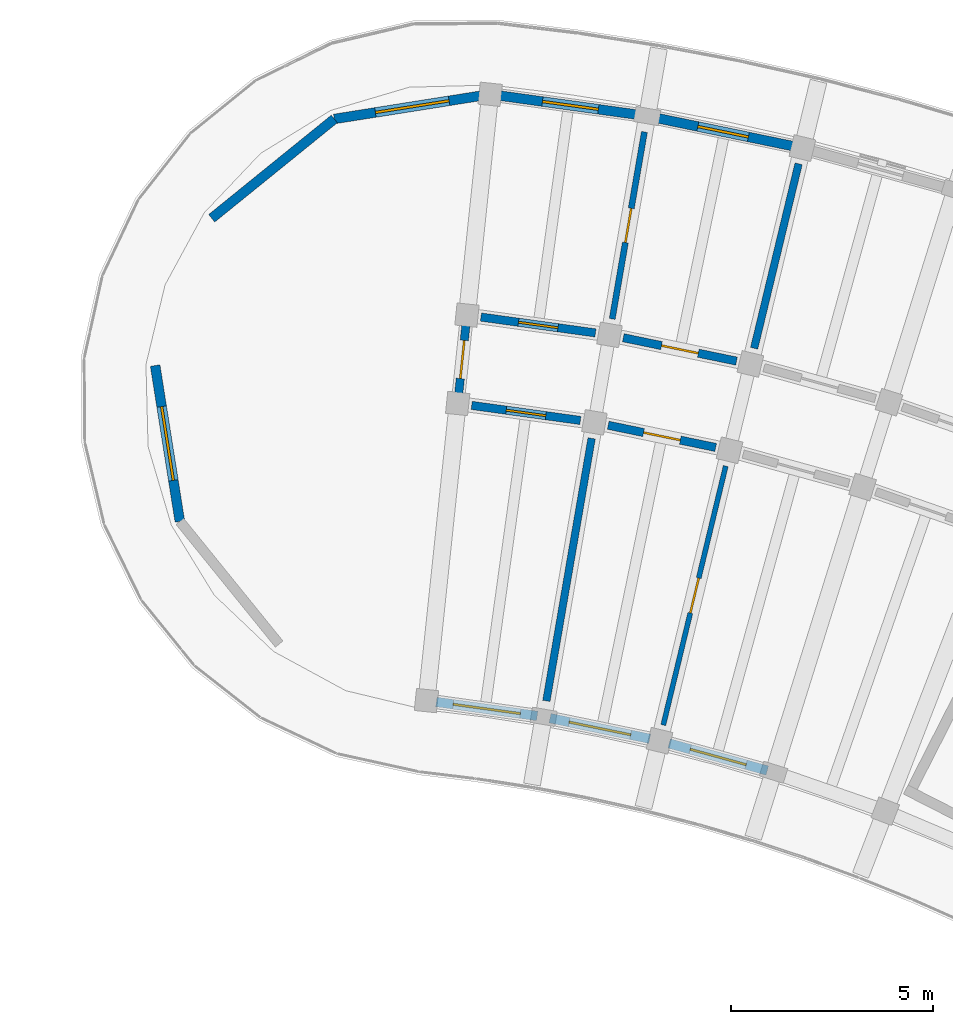
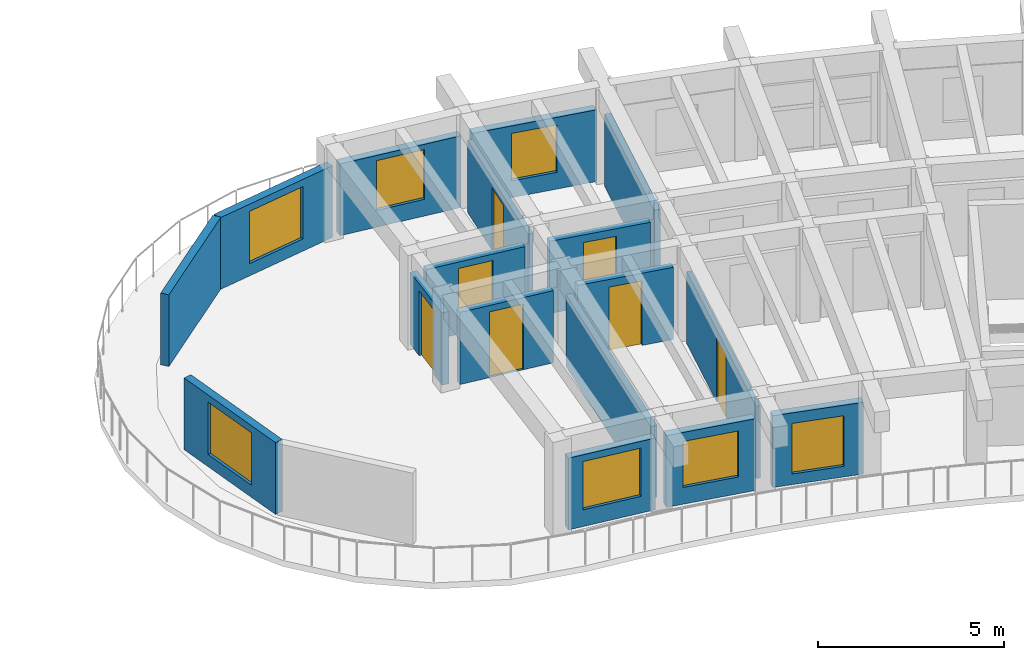
# One storey, part 47 of 78: 17 walls, 7 doors, 7 windows, 14 openings.
"""IFC4 building model written with IfcOpenShell, lengths in metres."""

from ifc_helpers import new_model, si_unit, direction, frame, frame_2d, origin, place, context, subcontext, project, spatial, rectangle, extrude, material, layer, layer_set, type_object, element, fill, save


model = new_model("IFC4")

# Units and contexts
model_context = context("Model", 3, precision=1e-05, world=origin(), true_north=direction((0.0, 1.0)))
body_context = subcontext(model_context, "Body", "Model", "MODEL_VIEW")
ifc_project = project(units=[si_unit("LENGTHUNIT", "METRE"), si_unit("AREAUNIT", "SQUARE_METRE"), si_unit("VOLUMEUNIT", "CUBIC_METRE"), si_unit("PLANEANGLEUNIT", "RADIAN"), si_unit("MASSUNIT", "GRAM", prefix="KILO")], contexts=[model_context])

# Site, building, storey
site_placement = place(None, origin())
site = spatial("IfcSite", under=ifc_project, at=site_placement, CompositionType="ELEMENT")
building_placement = place(site_placement, origin())
building = spatial("IfcBuilding", under=site, at=building_placement, Name="Tanwirah Colonnade Gardens", CompositionType="ELEMENT")
storey_placement = place(building_placement, frame((0.0, 0.0, 22.280029296875)))
storey = spatial("IfcBuildingStorey", under=building, at=storey_placement, Name="L06", CompositionType="ELEMENT", Elevation=22.280029296875)

# Wall, opening, window
ifc_material_1 = material(Name="Limestone architectural precast concrete C40/50", Category="masonry")
ifc_layer_1 = layer(ifc_material_1, 0.239990234375)
ifc_layer_set_1 = layer_set([ifc_layer_1], Name="Limestone architectural precast concrete C40/50")
wall_type_1 = type_object("IfcWallType", Name="EW-PC240", PredefinedType="SOLIDWALL", material=ifc_layer_set_1)
wall_1_placement = place(storey_placement, frame((134.0888671875, 102.674072265625, 0.0), z_axis=(0.0, 0.0, 1.0), x_axis=(-0.963901971286, 0.266257375017, 0.0)))
wall_1 = element("IfcWall", 1, at=wall_1_placement, inside=storey, type_object=wall_type_1, Name="Block B L06 IN Precast Facade Wall 15", PredefinedType="SOLIDWALL", context=body_context, shape_type="SweptSolid", body=[
    extrude(rectangle(XDim=2.525146484375, YDim=0.239990234375, at=frame_2d((1.2626953125, 0.0))), origin(), (0.0, 0.0, 1.0), 2.35498046875),
])
opening_1_placement = place(wall_1_placement, frame((0.54248046875, 0.0, 0.35009765625)))
opening_1 = element("IfcOpeningElement", 2, at=opening_1_placement, cuts=wall_1, Name="Opening WIN-U08", PredefinedType="OPENING", context=body_context, shape_type="SweptSolid", body=[
    extrude(rectangle(XDim=1.43994140625, YDim=1.659912109375, at=frame_2d((0.719970703125, 0.830078125))), frame((0.0, 0.1298828125, 0.0), z_axis=(0.0, -1.0, 0.0), x_axis=(1.0, 0.0, 0.0)), (0.0, 0.0, 1.0), 0.260009765625),
])
ifc_material_2 = material(Name="Thermally broken bronze aluminium and solar low-E double glazing", Category="aluminium")
window_type_1 = type_object("IfcWindowType", Name="WIN-U08", PartitioningType="DOUBLE_PANEL_VERTICAL", PredefinedType="WINDOW", material=ifc_material_2)
window_1_placement = place(opening_1_placement, origin())
window_1 = element("IfcWindow", 3, at=window_1_placement, inside=storey, type_object=window_type_1, Name="Facade window B-L06-IN-15", OverallHeight=1.659912109375, OverallWidth=1.43994140625, PartitioningType="SINGLE_PANEL", PredefinedType="WINDOW", context=body_context, shape_type="SweptSolid", body=[
    extrude(rectangle(XDim=1.43994140625, YDim=1.659912109375, at=frame_2d((0.719970703125, 0.830078125))), frame((0.0, 0.030029296875, 0.0), z_axis=(0.0, -1.0, 0.0), x_axis=(1.0, 0.0, 0.0)), (0.0, 0.0, 1.0), 0.06005859375),
])
fill(opening_1, window_1)

wall_2_placement = place(storey_placement, frame((134.7177734375, 118.140625, 0.0), z_axis=(0.0, 0.0, 1.0), x_axis=(-0.979340051053, 0.202220336275, 0.0)))
wall_2 = element("IfcWall", 4, at=wall_2_placement, inside=storey, type_object=wall_type_1, Name="Block B L06 OUT Precast Facade Wall 16", PredefinedType="SOLIDWALL", context=body_context, shape_type="SweptSolid", body=[
    extrude(rectangle(XDim=3.5205078125, YDim=0.239990234375, at=frame_2d((1.76025390625, 0.0))), origin(), (0.0, 0.0, 1.0), 2.35498046875),
])
opening_2_placement = place(wall_2_placement, frame((1.120361328125, 0.0, 0.550048828125)))
opening_2 = element("IfcOpeningElement", 5, at=opening_2_placement, cuts=wall_2, Name="Opening WIN-U04", PredefinedType="OPENING", context=body_context, shape_type="SweptSolid", body=[
    extrude(rectangle(XDim=1.280029296875, YDim=1.56005859375, at=frame_2d((0.64013671875, 0.780029296875))), frame((0.0, 0.1298828125, 0.0), z_axis=(0.0, -1.0, 0.0), x_axis=(1.0, 0.0, 0.0)), (0.0, 0.0, 1.0), 0.260009765625),
])
window_type_2 = type_object("IfcWindowType", Name="WIN-U04", PartitioningType="DOUBLE_PANEL_VERTICAL", PredefinedType="WINDOW", material=ifc_material_2)
window_2_placement = place(opening_2_placement, origin())
window_2 = element("IfcWindow", 6, at=window_2_placement, inside=storey, type_object=window_type_2, Name="Facade window B-L06-OUT-16", OverallHeight=1.56005859375, OverallWidth=1.280029296875, PartitioningType="SINGLE_PANEL", PredefinedType="WINDOW", context=body_context, shape_type="SweptSolid", body=[
    extrude(rectangle(XDim=1.280029296875, YDim=1.56005859375, at=frame_2d((0.64013671875, 0.780029296875))), frame((0.0, 0.030029296875, 0.0), z_axis=(0.0, -1.0, 0.0), x_axis=(1.0, 0.0, 0.0)), (0.0, 0.0, 1.0), 0.06005859375),
])
fill(opening_2, window_2)

wall_3_placement = place(storey_placement, frame((131.1787109375, 103.46142578125, 0.0), z_axis=(0.0, 0.0, 1.0), x_axis=(-0.979353576928, 0.202154820272, 0.0)))
wall_3 = element("IfcWall", 7, at=wall_3_placement, inside=storey, type_object=wall_type_1, Name="Block B L06 IN Precast Facade Wall 16", PredefinedType="SOLIDWALL", context=body_context, shape_type="SweptSolid", body=[
    extrude(rectangle(XDim=2.525390625, YDim=0.239990234375, at=frame_2d((1.2626953125, 0.0))), origin(), (0.0, 0.0, 1.0), 2.35498046875),
])
opening_3_placement = place(wall_3_placement, frame((0.482666015625, 0.0, 0.550048828125)))
opening_3 = element("IfcOpeningElement", 8, at=opening_3_placement, cuts=wall_3, Name="Opening WIN-U11", PredefinedType="OPENING", context=body_context, shape_type="SweptSolid", body=[
    extrude(rectangle(XDim=1.56005859375, YDim=1.510009765625, at=frame_2d((0.780029296875, 0.7548828125))), frame((0.0, 0.1298828125, 0.0), z_axis=(0.0, -1.0, 0.0), x_axis=(1.0, 0.0, 0.0)), (0.0, 0.0, 1.0), 0.260009765625),
])
window_type_3 = type_object("IfcWindowType", Name="WIN-U11", PartitioningType="DOUBLE_PANEL_VERTICAL", PredefinedType="WINDOW", material=ifc_material_2)
window_3_placement = place(opening_3_placement, origin())
window_3 = element("IfcWindow", 9, at=window_3_placement, inside=storey, type_object=window_type_3, Name="Facade window B-L06-IN-16", OverallHeight=1.510009765625, OverallWidth=1.56005859375, PartitioningType="SINGLE_PANEL", PredefinedType="WINDOW", context=body_context, shape_type="SweptSolid", body=[
    extrude(rectangle(XDim=1.56005859375, YDim=1.510009765625, at=frame_2d((0.780029296875, 0.7548828125))), frame((0.0, 0.030029296875, 0.0), z_axis=(0.0, -1.0, 0.0), x_axis=(1.0, 0.0, 0.0)), (0.0, 0.0, 1.0), 0.06005859375),
])
fill(opening_3, window_3)

wall_4_placement = place(storey_placement, frame((130.954833984375, 118.906982421875, 0.0), z_axis=(0.0, 0.0, 1.0), x_axis=(-0.990539718913, 0.137226328578, 0.0)))
wall_4 = element("IfcWall", 10, at=wall_4_placement, inside=storey, type_object=wall_type_1, Name="Block B L06 OUT Precast Facade Wall 17", PredefinedType="SOLIDWALL", context=body_context, shape_type="SweptSolid", body=[
    extrude(rectangle(XDim=3.520751953125, YDim=0.239990234375, at=frame_2d((1.76025390625, 0.0))), origin(), (0.0, 0.0, 1.0), 2.35498046875),
])
opening_4_placement = place(wall_4_placement, frame((1.060302734375, 0.0, 0.550048828125)))
opening_4 = element("IfcOpeningElement", 11, at=opening_4_placement, cuts=wall_4, Name="Opening WIN-U07", PredefinedType="OPENING", context=body_context, shape_type="SweptSolid", body=[
    extrude(rectangle(XDim=1.39990234375, YDim=1.635009765625, at=frame_2d((0.699951171875, 0.8173828125))), frame((0.0, 0.1298828125, 0.0), z_axis=(0.0, -1.0, 0.0), x_axis=(1.0, 0.0, 0.0)), (0.0, 0.0, 1.0), 0.260009765625),
])
window_type_4 = type_object("IfcWindowType", Name="WIN-U07", PartitioningType="DOUBLE_PANEL_VERTICAL", PredefinedType="WINDOW", material=ifc_material_2)
window_4_placement = place(opening_4_placement, origin())
window_4 = element("IfcWindow", 12, at=window_4_placement, inside=storey, type_object=window_type_4, Name="Facade window B-L06-OUT-17", OverallHeight=1.635009765625, OverallWidth=1.39990234375, PartitioningType="SINGLE_PANEL", PredefinedType="WINDOW", context=body_context, shape_type="SweptSolid", body=[
    extrude(rectangle(XDim=1.39990234375, YDim=1.635009765625, at=frame_2d((0.699951171875, 0.8173828125))), frame((0.0, 0.030029296875, 0.0), z_axis=(0.0, -1.0, 0.0), x_axis=(1.0, 0.0, 0.0)), (0.0, 0.0, 1.0), 0.06005859375),
])
fill(opening_4, window_4)

wall_5_placement = place(storey_placement, frame((128.390380859375, 104.0263671875, 0.0), z_axis=(0.0, 0.0, 1.0), x_axis=(-0.990545622952, 0.13718370476, 0.0)))
wall_5 = element("IfcWall", 13, at=wall_5_placement, inside=storey, type_object=wall_type_1, Name="Block B L06 IN Precast Facade Wall 17", PredefinedType="SOLIDWALL", context=body_context, shape_type="SweptSolid", body=[
    extrude(rectangle(XDim=2.525390625, YDim=0.239990234375, at=frame_2d((1.2626953125, 0.0))), origin(), (0.0, 0.0, 1.0), 2.35498046875),
])
opening_5_placement = place(wall_5_placement, frame((0.422607421875, 0.0, 0.550048828125)))
opening_5 = element("IfcOpeningElement", 14, at=opening_5_placement, cuts=wall_5, Name="Opening WIN-U14", PredefinedType="OPENING", context=body_context, shape_type="SweptSolid", body=[
    extrude(rectangle(XDim=1.679931640625, YDim=1.5849609375, at=frame_2d((0.83984375, 0.79248046875))), frame((0.0, 0.1298828125, 0.0), z_axis=(0.0, -1.0, 0.0), x_axis=(1.0, 0.0, 0.0)), (0.0, 0.0, 1.0), 0.260009765625),
])
window_type_5 = type_object("IfcWindowType", Name="WIN-U14", PartitioningType="DOUBLE_PANEL_VERTICAL", PredefinedType="WINDOW", material=ifc_material_2)
window_5_placement = place(opening_5_placement, origin())
window_5 = element("IfcWindow", 15, at=window_5_placement, inside=storey, type_object=window_type_5, Name="Facade window B-L06-IN-17", OverallHeight=1.5849609375, OverallWidth=1.679931640625, PartitioningType="SINGLE_PANEL", PredefinedType="WINDOW", context=body_context, shape_type="SweptSolid", body=[
    extrude(rectangle(XDim=1.679931640625, YDim=1.5849609375, at=frame_2d((0.83984375, 0.79248046875))), frame((0.0, 0.030029296875, 0.0), z_axis=(0.0, -1.0, 0.0), x_axis=(1.0, 0.0, 0.0)), (0.0, 0.0, 1.0), 0.06005859375),
])
fill(opening_5, window_5)

wall_6_placement = place(storey_placement, frame((119.538330078125, 108.84423828125, 0.0), z_axis=(0.0, 0.0, 1.0), x_axis=(-0.15648221771, 0.987680776132, 0.0)))
wall_6 = element("IfcWall", 16, at=wall_6_placement, inside=storey, type_object=wall_type_1, Name="Block B L06 END Rounded End Wall 2", PredefinedType="SOLIDWALL", context=body_context, shape_type="SweptSolid", body=[
    extrude(rectangle(XDim=3.908203125, YDim=0.239990234375, at=frame_2d((1.9541015625, 0.0))), origin(), (0.0, 0.0, 1.0), 2.35498046875),
])
opening_6_placement = place(wall_6_placement, frame((1.029052734375, 0.0, 0.39990234375)))
opening_6 = element("IfcOpeningElement", 17, at=opening_6_placement, cuts=wall_6, Name="Opening WIN-END1", PredefinedType="OPENING", context=body_context, shape_type="SweptSolid", body=[
    extrude(rectangle(XDim=1.85009765625, YDim=1.719970703125, at=frame_2d((0.925048828125, 0.85986328125))), frame((0.0, 0.1298828125, 0.0), z_axis=(0.0, -1.0, 0.0), x_axis=(1.0, 0.0, 0.0)), (0.0, 0.0, 1.0), 0.260009765625),
])
window_type_6 = type_object("IfcWindowType", Name="WIN-END1", PartitioningType="TRIPLE_PANEL_VERTICAL", PredefinedType="WINDOW", material=ifc_material_2)
window_6_placement = place(opening_6_placement, origin())
window_6 = element("IfcWindow", 18, at=window_6_placement, inside=storey, type_object=window_type_6, Name="Rounded corner window B-L06-END-2", OverallHeight=1.719970703125, OverallWidth=1.85009765625, PartitioningType="SINGLE_PANEL", PredefinedType="WINDOW", context=body_context, shape_type="SweptSolid", body=[
    extrude(rectangle(XDim=1.85009765625, YDim=1.719970703125, at=frame_2d((0.925048828125, 0.85986328125))), frame((0.0, 0.030029296875, 0.0), z_axis=(0.0, -1.0, 0.0), x_axis=(1.0, 0.0, 0.0)), (0.0, 0.0, 1.0), 0.06005859375),
])
fill(opening_6, window_6)

# Wall
wall_7_placement = place(storey_placement, frame((120.327392578125, 116.35302734375, 0.0), z_axis=(0.0, 0.0, 1.0), x_axis=(0.777137204109, 0.629331205321, 0.0)))
element("IfcWall", 19, at=wall_7_placement, inside=storey, type_object=wall_type_1, Name="Block B L06 END Rounded End Wall 4", PredefinedType="SOLIDWALL", context=body_context, shape_type="SweptSolid", body=[
    extrude(rectangle(XDim=3.907958984375, YDim=0.239990234375, at=frame_2d((1.9541015625, 0.0))), origin(), (0.0, 0.0, 1.0), 2.35498046875),
])

# Wall, opening, window
wall_8_placement = place(storey_placement, frame((123.364501953125, 118.8125, 0.0), z_axis=(0.0, 0.0, 1.0), x_axis=(0.987690429048, 0.156421278498, 0.0)))
wall_8 = element("IfcWall", 20, at=wall_8_placement, inside=storey, type_object=wall_type_1, Name="Block B L06 END Rounded End Wall 5", PredefinedType="SOLIDWALL", context=body_context, shape_type="SweptSolid", body=[
    extrude(rectangle(XDim=3.908203125, YDim=0.239990234375, at=frame_2d((1.9541015625, 0.0))), origin(), (0.0, 0.0, 1.0), 2.35498046875),
])
opening_7_placement = place(wall_8_placement, frame((1.029052734375, 0.0, 0.39990234375)))
opening_7 = element("IfcOpeningElement", 21, at=opening_7_placement, cuts=wall_8, Name="Opening WIN-END1", PredefinedType="OPENING", context=body_context, shape_type="SweptSolid", body=[
    extrude(rectangle(XDim=1.85009765625, YDim=1.719970703125, at=frame_2d((0.925048828125, 0.85986328125))), frame((0.0, 0.1298828125, 0.0), z_axis=(0.0, -1.0, 0.0), x_axis=(1.0, 0.0, 0.0)), (0.0, 0.0, 1.0), 0.260009765625),
])
window_7_placement = place(opening_7_placement, origin())
window_7 = element("IfcWindow", 22, at=window_7_placement, inside=storey, type_object=window_type_6, Name="Rounded corner window B-L06-END-5", OverallHeight=1.719970703125, OverallWidth=1.85009765625, PartitioningType="SINGLE_PANEL", PredefinedType="WINDOW", context=body_context, shape_type="SweptSolid", body=[
    extrude(rectangle(XDim=1.85009765625, YDim=1.719970703125, at=frame_2d((0.925048828125, 0.85986328125))), frame((0.0, 0.030029296875, 0.0), z_axis=(0.0, -1.0, 0.0), x_axis=(1.0, 0.0, 0.0)), (0.0, 0.0, 1.0), 0.06005859375),
])
fill(opening_7, window_7)

# Wall, opening, door
ifc_material_3 = material(Name="Precast concrete C40/50", Category="concrete")
ifc_layer_2 = layer(ifc_material_3, 0.205078125)
ifc_layer_set_2 = layer_set([ifc_layer_2], Name="Precast concrete C40/50")
wall_type_2 = type_object("IfcWallType", Name="IW-CORR205", PredefinedType="PARTITIONING", material=ifc_layer_set_2)
wall_9_placement = place(storey_placement, frame((133.325927734375, 112.815185546875, 0.0), z_axis=(0.0, 0.0, 1.0), x_axis=(-0.979348418612, 0.202179808492, 0.0)))
wall_9 = element("IfcWall", 23, at=wall_9_placement, inside=storey, type_object=wall_type_2, Name="Block B L06 OUT Corridor Wall 16", PredefinedType="PARTITIONING", context=body_context, shape_type="SweptSolid", body=[
    extrude(rectangle(XDim=2.863037109375, YDim=0.205078125, at=frame_2d((1.431640625, 0.0))), origin(), (0.0, 0.0, 1.0), 2.369873046875),
])
opening_8_placement = place(wall_9_placement, frame((0.966552734375, 0.0, 0.0)))
opening_8 = element("IfcOpeningElement", 24, at=opening_8_placement, cuts=wall_9, Name="Opening L06-AD1079", PredefinedType="OPENING", context=body_context, shape_type="SweptSolid", body=[
    extrude(rectangle(XDim=0.929931640625, YDim=2.1201171875, at=frame_2d((0.46484375, 1.06005859375))), frame((0.0, 0.112548828125, 0.0), z_axis=(0.0, -1.0, 0.0), x_axis=(1.0, 0.0, 0.0)), (0.0, 0.0, 1.0), 0.22509765625),
])
ifc_material_4 = material(Name="Solid oak fire-resisting apartment entrance door")
door_type_1 = type_object("IfcDoorType", Name="ID-FLT093", OperationType="NOTDEFINED", PredefinedType="DOOR", material=ifc_material_4)
door_1_placement = place(opening_8_placement, origin())
door_1 = element("IfcDoor", 25, at=door_1_placement, inside=storey, type_object=door_type_1, Name="Apartment corridor door L06-AD1079", OperationType="SINGLE_SWING_LEFT", OverallHeight=2.1201171875, OverallWidth=0.929931640625, PredefinedType="DOOR", context=body_context, shape_type="SweptSolid", body=[
    extrude(rectangle(XDim=0.929931640625, YDim=2.1201171875, at=frame_2d((0.46484375, 1.06005859375))), frame((0.0, 0.02490234375, 0.0), z_axis=(0.0, -1.0, 0.0), x_axis=(1.0, 0.0, 0.0)), (0.0, 0.0, 1.0), 0.050048828125),
])
fill(opening_8, door_1)

wall_10_placement = place(storey_placement, frame((132.810302734375, 110.676513671875, 0.0), z_axis=(0.0, 0.0, 1.0), x_axis=(-0.979349423541, 0.202174940608, 0.0)))
wall_10 = element("IfcWall", 26, at=wall_10_placement, inside=storey, type_object=wall_type_2, Name="Block B L06 IN Corridor Wall 16", PredefinedType="PARTITIONING", context=body_context, shape_type="SweptSolid", body=[
    extrude(rectangle(XDim=2.71826171875, YDim=0.205078125, at=frame_2d((1.359130859375, 0.0))), origin(), (0.0, 0.0, 1.0), 2.369873046875),
])
opening_9_placement = place(wall_10_placement, frame((0.89404296875, 0.0, 0.0)))
opening_9 = element("IfcOpeningElement", 27, at=opening_9_placement, cuts=wall_10, Name="Opening L06-AD1080", PredefinedType="OPENING", context=body_context, shape_type="SweptSolid", body=[
    extrude(rectangle(XDim=0.929931640625, YDim=2.1201171875, at=frame_2d((0.46484375, 1.06005859375))), frame((0.0, 0.112548828125, 0.0), z_axis=(0.0, -1.0, 0.0), x_axis=(1.0, 0.0, 0.0)), (0.0, 0.0, 1.0), 0.22509765625),
])
door_2_placement = place(opening_9_placement, origin())
door_2 = element("IfcDoor", 28, at=door_2_placement, inside=storey, type_object=door_type_1, Name="Apartment corridor door L06-AD1080", OperationType="SINGLE_SWING_RIGHT", OverallHeight=2.1201171875, OverallWidth=0.929931640625, PredefinedType="DOOR", context=body_context, shape_type="SweptSolid", body=[
    extrude(rectangle(XDim=0.929931640625, YDim=2.1201171875, at=frame_2d((0.46484375, 1.06005859375))), frame((0.0, 0.02490234375, 0.0), z_axis=(0.0, -1.0, 0.0), x_axis=(1.0, 0.0, 0.0)), (0.0, 0.0, 1.0), 0.050048828125),
])
fill(opening_9, door_2)

wall_11_placement = place(storey_placement, frame((129.83251953125, 113.512939453125, 0.0), z_axis=(0.0, 0.0, 1.0), x_axis=(-0.990544162976, 0.137194246211, 0.0)))
wall_11 = element("IfcWall", 29, at=wall_11_placement, inside=storey, type_object=wall_type_2, Name="Block B L06 OUT Corridor Wall 17", PredefinedType="PARTITIONING", context=body_context, shape_type="SweptSolid", body=[
    extrude(rectangle(XDim=2.86328125, YDim=0.205078125, at=frame_2d((1.431640625, 0.0))), origin(), (0.0, 0.0, 1.0), 2.369873046875),
])
opening_10_placement = place(wall_11_placement, frame((0.9365234375, 0.0, 0.0)))
opening_10 = element("IfcOpeningElement", 30, at=opening_10_placement, cuts=wall_11, Name="Opening L06-AD1082", PredefinedType="OPENING", context=body_context, shape_type="SweptSolid", body=[
    extrude(rectangle(XDim=0.989990234375, YDim=2.159912109375, at=frame_2d((0.4951171875, 1.080078125))), frame((0.0, 0.112548828125, 0.0), z_axis=(0.0, -1.0, 0.0), x_axis=(1.0, 0.0, 0.0)), (0.0, 0.0, 1.0), 0.22509765625),
])
door_type_2 = type_object("IfcDoorType", Name="ID-FLT099", OperationType="NOTDEFINED", PredefinedType="DOOR", material=ifc_material_4)
door_3_placement = place(opening_10_placement, origin())
door_3 = element("IfcDoor", 31, at=door_3_placement, inside=storey, type_object=door_type_2, Name="Apartment corridor door L06-AD1082", OperationType="SINGLE_SWING_RIGHT", OverallHeight=2.159912109375, OverallWidth=0.989990234375, PredefinedType="DOOR", context=body_context, shape_type="SweptSolid", body=[
    extrude(rectangle(XDim=0.989990234375, YDim=2.159912109375, at=frame_2d((0.4951171875, 1.080078125))), frame((0.0, 0.02490234375, 0.0), z_axis=(0.0, -1.0, 0.0), x_axis=(1.0, 0.0, 0.0)), (0.0, 0.0, 1.0), 0.050048828125),
])
fill(opening_10, door_3)

wall_12_placement = place(storey_placement, frame((129.458740234375, 111.344970703125, 0.0), z_axis=(0.0, 0.0, 1.0), x_axis=(-0.990535404475, 0.137257467855, 0.0)))
wall_12 = element("IfcWall", 32, at=wall_12_placement, inside=storey, type_object=wall_type_2, Name="Block B L06 IN Corridor Wall 17", PredefinedType="PARTITIONING", context=body_context, shape_type="SweptSolid", body=[
    extrude(rectangle(XDim=2.7177734375, YDim=0.205078125, at=frame_2d((1.35888671875, 0.0))), origin(), (0.0, 0.0, 1.0), 2.369873046875),
])
opening_11_placement = place(wall_12_placement, frame((0.864013671875, 0.0, 0.0)))
opening_11 = element("IfcOpeningElement", 33, at=opening_11_placement, cuts=wall_12, Name="Opening L06-AD1083", PredefinedType="OPENING", context=body_context, shape_type="SweptSolid", body=[
    extrude(rectangle(XDim=0.989990234375, YDim=2.159912109375, at=frame_2d((0.4951171875, 1.080078125))), frame((0.0, 0.112548828125, 0.0), z_axis=(0.0, -1.0, 0.0), x_axis=(1.0, 0.0, 0.0)), (0.0, 0.0, 1.0), 0.22509765625),
])
door_4_placement = place(opening_11_placement, origin())
door_4 = element("IfcDoor", 34, at=door_4_placement, inside=storey, type_object=door_type_2, Name="Apartment corridor door L06-AD1083", OperationType="SINGLE_SWING_LEFT", OverallHeight=2.159912109375, OverallWidth=0.989990234375, PredefinedType="DOOR", context=body_context, shape_type="SweptSolid", body=[
    extrude(rectangle(XDim=0.989990234375, YDim=2.159912109375, at=frame_2d((0.4951171875, 1.080078125))), frame((0.0, 0.02490234375, 0.0), z_axis=(0.0, -1.0, 0.0), x_axis=(1.0, 0.0, 0.0)), (0.0, 0.0, 1.0), 0.050048828125),
])
fill(opening_11, door_4)

wall_13_placement = place(storey_placement, frame((126.425048828125, 111.815673828125, 0.0), z_axis=(0.0, 0.0, 1.0), x_axis=(0.104509292252, 0.994523910136, 0.0)))
wall_13 = element("IfcWall", 35, at=wall_13_placement, inside=storey, type_object=wall_type_2, Name="Block B L06 CE Corner Suite Corridor Wall", PredefinedType="PARTITIONING", context=body_context, shape_type="SweptSolid", body=[
    extrude(rectangle(XDim=2.10009765625, YDim=0.205078125, at=frame_2d((1.050048828125, 0.0))), origin(), (0.0, 0.0, 1.0), 2.369873046875),
])
opening_12_placement = place(wall_13_placement, frame((0.570068359375, 0.0, 0.0)))
opening_12 = element("IfcOpeningElement", 36, at=opening_12_placement, cuts=wall_13, Name="Opening L06-CD1085", PredefinedType="OPENING", context=body_context, shape_type="SweptSolid", body=[
    extrude(rectangle(XDim=0.949951171875, YDim=2.1298828125, at=frame_2d((0.47509765625, 1.06494140625))), frame((0.0, 0.112548828125, 0.0), z_axis=(0.0, -1.0, 0.0), x_axis=(1.0, 0.0, 0.0)), (0.0, 0.0, 1.0), 0.22509765625),
])
door_type_3 = type_object("IfcDoorType", Name="ID-FLT095", OperationType="NOTDEFINED", PredefinedType="DOOR", material=ifc_material_4)
door_5_placement = place(opening_12_placement, origin())
door_5 = element("IfcDoor", 37, at=door_5_placement, inside=storey, type_object=door_type_3, Name="Corner suite entrance door L06-CD1085", OperationType="SINGLE_SWING_RIGHT", OverallHeight=2.1298828125, OverallWidth=0.949951171875, PredefinedType="DOOR", context=body_context, shape_type="SweptSolid", body=[
    extrude(rectangle(XDim=0.949951171875, YDim=2.1298828125, at=frame_2d((0.47509765625, 1.06494140625))), frame((0.0, 0.02490234375, 0.0), z_axis=(0.0, -1.0, 0.0), x_axis=(1.0, 0.0, 0.0)), (0.0, 0.0, 1.0), 0.050048828125),
])
fill(opening_12, door_5)

# Walls
ifc_layer_3 = layer(ifc_material_3, 0.18505859375)
ifc_layer_set_3 = layer_set([ifc_layer_3], Name="Precast concrete C40/50")
wall_type_3 = type_object("IfcWallType", Name="IW-DEM185", PredefinedType="PARTITIONING", material=ifc_layer_set_3)
wall_14_placement = place(storey_placement, frame((133.762451171875, 113.13330078125, 0.0), z_axis=(0.0, 0.0, 1.0), x_axis=(0.234386624934, 0.972143461662, 0.0)))
element("IfcWall", 38, at=wall_14_placement, inside=storey, type_object=wall_type_3, Name="Block B L06 Radial Partition 15", PredefinedType="PARTITIONING", context=body_context, shape_type="SweptSolid", body=[
    extrude(rectangle(XDim=4.69970703125, YDim=0.18505859375, at=frame_2d((2.349853515625, 0.0))), origin(), (0.0, 0.0, 1.0), 2.369873046875),
])
wall_15_placement = place(storey_placement, frame((128.61669921875, 104.3984375, 0.0), z_axis=(0.0, 0.0, 1.0), x_axis=(0.169825160084, 0.985474208187, 0.0)))
element("IfcWall", 39, at=wall_15_placement, inside=storey, type_object=wall_type_3, Name="Block B L06 Inner Radial Partition 16", PredefinedType="PARTITIONING", context=body_context, shape_type="SweptSolid", body=[
    extrude(rectangle(XDim=6.60009765625, YDim=0.18505859375, at=frame_2d((3.300048828125, 0.0))), origin(), (0.0, 0.0, 1.0), 2.369873046875),
])

# Wall, opening, door
ifc_material_5 = material(Name="Moisture-resistant gypsum stud partition")
ifc_layer_4 = layer(ifc_material_5, 0.125)
ifc_layer_set_4 = layer_set([ifc_layer_4], Name="Moisture-resistant gypsum stud partition")
wall_type_4 = type_object("IfcWallType", Name="IW-INT125", PredefinedType="PARTITIONING", material=ifc_layer_set_4)
wall_16_placement = place(storey_placement, frame((131.51220703125, 103.800537109375, 0.0), z_axis=(0.0, 0.0, 1.0), x_axis=(0.234406698576, 0.972138621629, 0.0)))
wall_16 = element("IfcWall", 40, at=wall_16_placement, inside=storey, type_object=wall_type_4, Name="Block B L06 Inner Radial Partition 15", PredefinedType="PARTITIONING", context=body_context, shape_type="SweptSolid", body=[
    extrude(rectangle(XDim=6.60009765625, YDim=0.125, at=frame_2d((3.300048828125, 0.0))), origin(), (0.0, 0.0, 1.0), 2.369873046875),
])
opening_13_placement = place(wall_16_placement, frame((2.85498046875, 0.0, 0.0)))
opening_13 = element("IfcOpeningElement", 41, at=opening_13_placement, cuts=wall_16, Name="Opening L06-RD1078", PredefinedType="OPENING", context=body_context, shape_type="SweptSolid", body=[
    extrude(rectangle(XDim=0.889892578125, YDim=2.10009765625, at=frame_2d((0.44482421875, 1.050048828125))), frame((0.0, 0.072509765625, 0.0), z_axis=(0.0, -1.0, 0.0), x_axis=(1.0, 0.0, 0.0)), (0.0, 0.0, 1.0), 0.14501953125),
])
ifc_material_6 = material(Name="Painted hardwood bedroom door", Category="wood")
door_type_4 = type_object("IfcDoorType", Name="ID-RM089", OperationType="NOTDEFINED", PredefinedType="DOOR", material=ifc_material_6)
door_6_placement = place(opening_13_placement, origin())
door_6 = element("IfcDoor", 42, at=door_6_placement, inside=storey, type_object=door_type_4, Name="Internal apartment door L06-RD1078", OperationType="SINGLE_SWING_LEFT", OverallHeight=2.10009765625, OverallWidth=0.889892578125, PredefinedType="DOOR", context=body_context, shape_type="SweptSolid", body=[
    extrude(rectangle(XDim=0.889892578125, YDim=2.10009765625, at=frame_2d((0.44482421875, 1.050048828125))), frame((0.0, 0.02490234375, 0.0), z_axis=(0.0, -1.0, 0.0), x_axis=(1.0, 0.0, 0.0)), (0.0, 0.0, 1.0), 0.050048828125),
])
fill(opening_13, door_6)

ifc_material_7 = material(Name="Water-resistant acoustic plumbing partition")
ifc_layer_5 = layer(ifc_material_7, 0.14990234375)
ifc_layer_set_5 = layer_set([ifc_layer_5], Name="Water-resistant acoustic plumbing partition")
wall_type_5 = type_object("IfcWallType", Name="IW-WET150", PredefinedType="PLUMBINGWALL", material=ifc_layer_set_5)
wall_17_placement = place(storey_placement, frame((130.2470703125, 113.859130859375, 0.0), z_axis=(0.0, 0.0, 1.0), x_axis=(0.169812980219, 0.985476307046, 0.0)))
wall_17 = element("IfcWall", 43, at=wall_17_placement, inside=storey, type_object=wall_type_5, Name="Block B L06 Radial Partition 16", PredefinedType="PLUMBINGWALL", context=body_context, shape_type="SweptSolid", body=[
    extrude(rectangle(XDim=4.699951171875, YDim=0.14990234375, at=frame_2d((2.35009765625, 0.0))), origin(), (0.0, 0.0, 1.0), 2.369873046875),
])
opening_14_placement = place(wall_17_placement, frame((1.919921875, 0.0, 0.0)))
opening_14 = element("IfcOpeningElement", 44, at=opening_14_placement, cuts=wall_17, Name="Opening L06-RD1081", PredefinedType="OPENING", context=body_context, shape_type="SweptSolid", body=[
    extrude(rectangle(XDim=0.860107421875, YDim=2.06005859375, at=frame_2d((0.43017578125, 1.030029296875))), frame((0.0, 0.0849609375, 0.0), z_axis=(0.0, -1.0, 0.0), x_axis=(1.0, 0.0, 0.0)), (0.0, 0.0, 1.0), 0.169921875),
])
ifc_material_8 = material(Name="Moisture-resistant bathroom door")
door_type_5 = type_object("IfcDoorType", Name="ID-WET086", OperationType="NOTDEFINED", PredefinedType="DOOR", material=ifc_material_8)
door_7_placement = place(opening_14_placement, origin())
door_7 = element("IfcDoor", 45, at=door_7_placement, inside=storey, type_object=door_type_5, Name="Internal apartment door L06-RD1081", OperationType="SINGLE_SWING_LEFT", OverallHeight=2.06005859375, OverallWidth=0.860107421875, PredefinedType="DOOR", context=body_context, shape_type="SweptSolid", body=[
    extrude(rectangle(XDim=0.860107421875, YDim=2.06005859375, at=frame_2d((0.43017578125, 1.030029296875))), frame((0.0, 0.02490234375, 0.0), z_axis=(0.0, -1.0, 0.0), x_axis=(1.0, 0.0, 0.0)), (0.0, 0.0, 1.0), 0.050048828125),
])
fill(opening_14, door_7)

save(model, "model.ifc")
